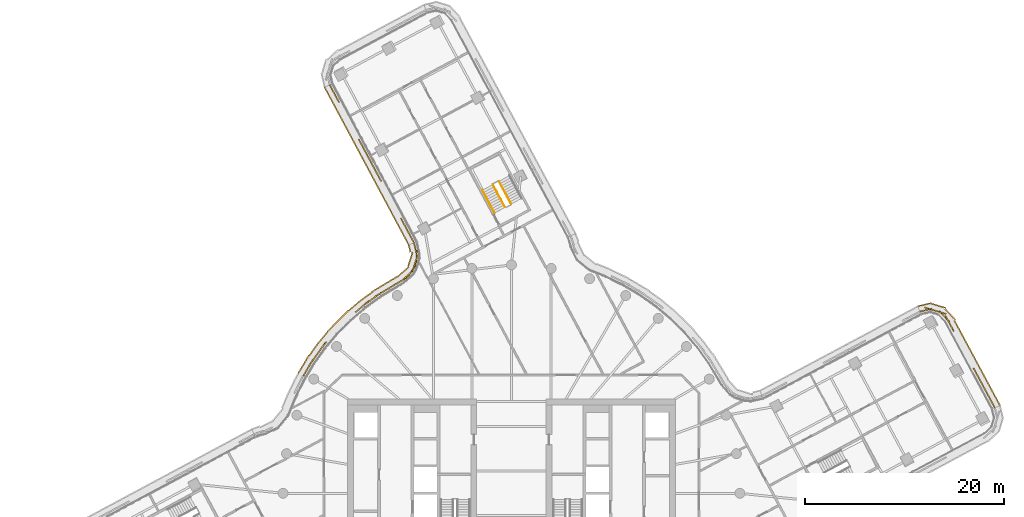
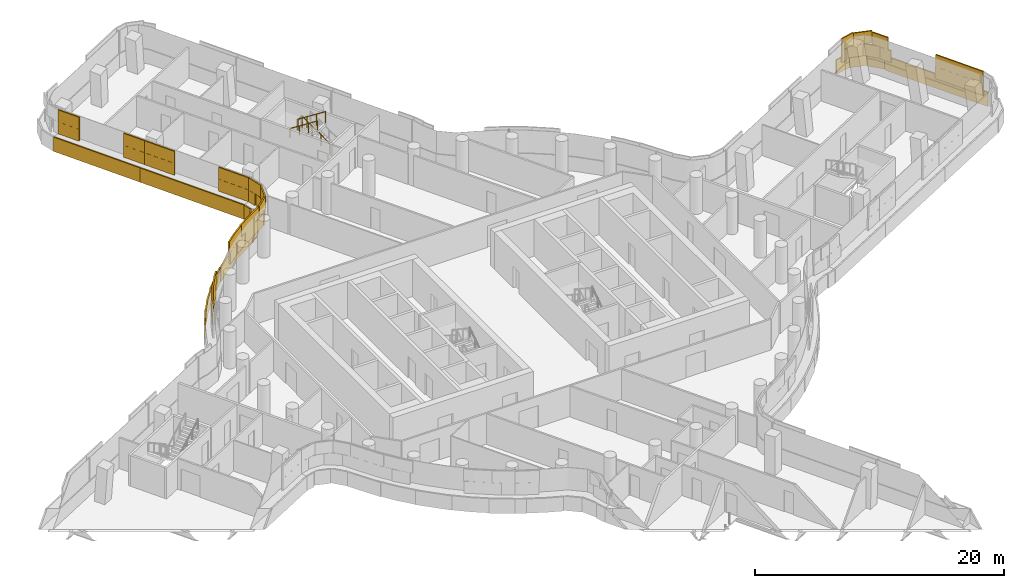
# One storey, part 31 of 33: 4 coverings, 3 railings.
"""IFC4 building model written with IfcOpenShell, lengths in metres."""

from ifc_helpers import new_model, si_unit, direction, frame, origin, origin_2d, place, context, subcontext, project, spatial, rectangle, circle, extrude, material, layer, layer_set, type_object, element, save


model = new_model("IFC4")

# Units and contexts
model_context = context("Model", 3, precision=1e-05, world=origin(), true_north=direction((0.0, 1.0)))
body_context = subcontext(model_context, "Body", "Model", "MODEL_VIEW")
ifc_project = project(units=[si_unit("LENGTHUNIT", "METRE"), si_unit("AREAUNIT", "SQUARE_METRE"), si_unit("VOLUMEUNIT", "CUBIC_METRE"), si_unit("PLANEANGLEUNIT", "RADIAN"), si_unit("MASSUNIT", "GRAM", prefix="KILO")], contexts=[model_context])

# Site, building, storey
site_placement = place(None, origin())
site = spatial("IfcSite", under=ifc_project, at=site_placement, CompositionType="ELEMENT")
building_placement = place(site_placement, origin())
building = spatial("IfcBuilding", under=site, at=building_placement, Name="Tamarind Cross Interchange Tower", CompositionType="ELEMENT")
storey_placement = place(building_placement, frame((0.0, 0.0, 136.75)))
storey = spatial("IfcBuildingStorey", under=building, at=storey_placement, Name="L33", CompositionType="ELEMENT", Elevation=136.75)

# Railings
ifc_material_1 = material(Name="Stair guard")
railing_type_1 = type_object("IfcRailingType", Name="Stair guard", PredefinedType="GUARDRAIL", material=ifc_material_1)
railing_1_placement = place(storey_placement, frame((-0.02587890625, 29.13525390625, 0.17041015625)))
element("IfcRailing", 1, at=railing_1_placement, inside=storey, type_object=railing_type_1, Name="L33 ST4 stair guard 1", PredefinedType="GUARDRAIL", context=body_context, shape_type="SweptSolid", body=[
    extrude(circle(Radius=0.02392578125, at=origin_2d()), frame((0.0, 0.0, 1.076171875), z_axis=(-0.395303833434, 0.73697387302, 0.548274009742), x_axis=(-0.88123277385, -0.47268255552, 0.0)), (0.0, 0.0, 1.0), 3.109130859375),
    extrude(circle(Radius=0.02099609375, at=origin_2d()), origin(), (0.0, 0.0, 1.0), 1.052001953125),
    extrude(circle(Radius=0.02099609375, at=origin_2d()), frame((-0.40966796875, 0.763671875, 0.568115234375)), (0.0, 0.0, 1.0), 1.052001953125),
    extrude(circle(Radius=0.02099609375, at=origin_2d()), frame((-0.8193359375, 1.527587890625, 1.136474609375)), (0.0, 0.0, 1.0), 1.052001953125),
    extrude(circle(Radius=0.02099609375, at=origin_2d()), frame((-1.22900390625, 2.291259765625, 1.70458984375)), (0.0, 0.0, 1.0), 1.052001953125),
])
railing_2_placement = place(storey_placement, frame((-1.871826171875, 31.095458984375, 2.04541015625)))
element("IfcRailing", 2, at=railing_2_placement, inside=storey, type_object=railing_type_1, Name="L33 ST4 stair guard 3", PredefinedType="GUARDRAIL", context=body_context, shape_type="SweptSolid", body=[
    extrude(circle(Radius=0.02392578125, at=origin_2d()), frame((0.0, 0.0, 1.076171875), z_axis=(0.395326711299, -0.736937993412, 0.548305740622), x_axis=(0.881211791727, 0.472721670882, 0.0)), (0.0, 0.0, 1.0), 3.10888671875),
    extrude(circle(Radius=0.02099609375, at=origin_2d()), origin(), (0.0, 0.0, 1.0), 1.052001953125),
    extrude(circle(Radius=0.02099609375, at=origin_2d()), frame((0.40966796875, -0.763671875, 0.568115234375)), (0.0, 0.0, 1.0), 1.052001953125),
    extrude(circle(Radius=0.02099609375, at=origin_2d()), frame((0.8193359375, -1.52734375, 1.136474609375)), (0.0, 0.0, 1.0), 1.052001953125),
    extrude(circle(Radius=0.02099609375, at=origin_2d()), frame((1.22900390625, -2.291015625, 1.70458984375)), (0.0, 0.0, 1.0), 1.052001953125),
])
ifc_material_2 = material(Name="Stair handrail")
railing_type_2 = type_object("IfcRailingType", Name="Stair handrail", PredefinedType="HANDRAIL", material=ifc_material_2)
railing_3_placement = place(storey_placement, frame((-2.92919921875, 30.5283203125, 2.04541015625)))
element("IfcRailing", 3, at=railing_3_placement, inside=storey, type_object=railing_type_2, Name="L33 ST4 stair handrail 2", PredefinedType="HANDRAIL", context=body_context, shape_type="SweptSolid", body=[
    extrude(circle(Radius=0.02392578125, at=origin_2d()), frame((0.0, 0.0, 0.8759765625), z_axis=(0.395303833434, -0.73697387302, 0.548274009742), x_axis=(0.88123277385, 0.47268255552, 0.0)), (0.0, 0.0, 1.0), 3.109130859375),
    extrude(circle(Radius=0.02099609375, at=origin_2d()), origin(), (0.0, 0.0, 1.0), 0.851806640625),
    extrude(circle(Radius=0.02099609375, at=origin_2d()), frame((0.40966796875, -0.763671875, 0.568115234375)), (0.0, 0.0, 1.0), 0.851806640625),
    extrude(circle(Radius=0.02099609375, at=origin_2d()), frame((0.8193359375, -1.527587890625, 1.136474609375)), (0.0, 0.0, 1.0), 0.851806640625),
    extrude(circle(Radius=0.02099609375, at=origin_2d()), frame((1.22900390625, -2.291259765625, 1.70458984375)), (0.0, 0.0, 1.0), 0.851806640625),
])

# Coverings
ifc_material_3 = material(Name="Terracotta", Category="masonry")
ifc_layer = layer(ifc_material_3, 0.1201171875)
ifc_layer_set = layer_set([ifc_layer], Name="Terracotta")
covering_type = type_object("IfcCoveringType", Name="Terracotta baguette screen unit", PredefinedType="MOLDING", material=ifc_layer_set)
covering_1_placement = place(storey_placement, origin())
element("IfcCovering", 4, at=covering_1_placement, inside=storey, type_object=covering_type, Name="SCR-L33-01-00", PredefinedType="MOLDING", context=body_context, shape_type="SweptSolid", body=[
    extrude(rectangle(XDim=0.760009765625, YDim=0.1201171875, at=origin_2d()), frame((-18.125, 40.7890625, 1.404052734375), z_axis=(0.0, 0.0, 1.0), x_axis=(0.47095879505, -0.88215520934, 0.0)), (0.0, 0.0, 1.0), 1.1669921875),
    extrude(rectangle(XDim=1.25390625, YDim=0.1201171875, at=origin_2d()), frame((-17.655517578125, 39.909423828125, 1.404052734375), z_axis=(0.0, 0.0, 1.0), x_axis=(0.47095879505, -0.88215520934, 0.0)), (0.0, 0.0, 1.0), 1.1669921875),
    extrude(rectangle(XDim=0.566162109375, YDim=0.1201171875, at=origin_2d()), frame((-15.253662109375, 35.410400390625, 1.404052734375), z_axis=(0.0, 0.0, 1.0), x_axis=(0.47095879505, -0.88215520934, 0.0)), (0.0, 0.0, 1.0), 1.1669921875),
    extrude(rectangle(XDim=1.44775390625, YDim=0.1201171875, at=origin_2d()), frame((-14.7841796875, 34.531005859375, 1.404052734375), z_axis=(0.0, 0.0, 1.0), x_axis=(0.47095879505, -0.88215520934, 0.0)), (0.0, 0.0, 1.0), 1.1669921875),
    extrude(rectangle(XDim=1.510009765625, YDim=0.1201171875, at=origin_2d()), frame((-17.948486328125, 40.458251953125, 2.5791015625), z_axis=(0.0, 0.0, 1.0), x_axis=(0.47095879505, -0.88215520934, 0.0)), (0.0, 0.0, 1.0), 1.1669921875),
    extrude(rectangle(XDim=0.50390625, YDim=0.1201171875, at=origin_2d()), frame((-17.47900390625, 39.57861328125, 2.5791015625), z_axis=(0.0, 0.0, 1.0), x_axis=(0.47095879505, -0.88215520934, 0.0)), (0.0, 0.0, 1.0), 1.1669921875),
    extrude(rectangle(XDim=1.316162109375, YDim=0.1201171875, at=origin_2d()), frame((-15.076904296875, 35.07958984375, 2.5791015625), z_axis=(0.0, 0.0, 1.0), x_axis=(0.47095879505, -0.88215520934, 0.0)), (0.0, 0.0, 1.0), 1.1669921875),
    extrude(rectangle(XDim=0.69775390625, YDim=0.1201171875, at=origin_2d()), frame((-14.607421875, 34.2001953125, 2.5791015625), z_axis=(0.0, 0.0, 1.0), x_axis=(0.47095879505, -0.88215520934, 0.0)), (0.0, 0.0, 1.0), 1.1669921875),
    extrude(rectangle(XDim=0.760009765625, YDim=0.1201171875, at=origin_2d()), frame((-18.664306640625, 40.580322265625, 0.00390625), z_axis=(0.0, 0.0, 1.0), x_axis=(0.47095879505, -0.88215520934, 0.0)), (0.0, 0.0, 1.0), 1.39208984375),
    extrude(rectangle(XDim=1.52001953125, YDim=0.1201171875, at=origin_2d()), frame((-18.136962890625, 39.59228515625, 0.00390625), z_axis=(0.0, 0.0, 1.0), x_axis=(0.47095879505, -0.88215520934, 0.0)), (0.0, 0.0, 1.0), 1.39208984375),
    extrude(rectangle(XDim=1.52001953125, YDim=0.1201171875, at=origin_2d()), frame((-17.430419921875, 38.26904296875, 0.00390625), z_axis=(0.0, 0.0, 1.0), x_axis=(0.47095879505, -0.88215520934, 0.0)), (0.0, 0.0, 1.0), 1.39208984375),
    extrude(rectangle(XDim=1.52001953125, YDim=0.1201171875, at=origin_2d()), frame((-16.72412109375, 36.94580078125, 0.00390625), z_axis=(0.0, 0.0, 1.0), x_axis=(0.47095879505, -0.88215520934, 0.0)), (0.0, 0.0, 1.0), 1.39208984375),
    extrude(rectangle(XDim=1.52001953125, YDim=0.1201171875, at=origin_2d()), frame((-16.017578125, 35.62255859375, 0.00390625), z_axis=(0.0, 0.0, 1.0), x_axis=(0.47095879505, -0.88215520934, 0.0)), (0.0, 0.0, 1.0), 1.39208984375),
    extrude(rectangle(XDim=1.447021484375, YDim=0.1201171875, at=origin_2d()), frame((-15.328369140625, 34.33154296875, 0.00390625), z_axis=(0.0, 0.0, 1.0), x_axis=(0.47095879505, -0.88215520934, 0.0)), (0.0, 0.0, 1.0), 1.39208984375),
])
covering_2_placement = place(storey_placement, origin())
element("IfcCovering", 5, at=covering_2_placement, inside=storey, type_object=covering_type, Name="SCR-L33-01-01", PredefinedType="MOLDING", context=body_context, shape_type="SweptSolid", body=[
    extrude(rectangle(XDim=0.072021484375, YDim=0.1201171875, at=origin_2d()), frame((-14.430908203125, 33.869384765625, 1.404052734375), z_axis=(0.0, 0.0, 1.0), x_axis=(0.47095879505, -0.88215520934, 0.0)), (0.0, 0.0, 1.0), 1.1669921875),
    extrude(rectangle(XDim=1.52001953125, YDim=0.1201171875, at=origin_2d()), frame((-14.06298828125, 33.180419921875, 1.404052734375), z_axis=(0.0, 0.0, 1.0), x_axis=(0.47095879505, -0.88215520934, 0.0)), (0.0, 0.0, 1.0), 1.1669921875),
    extrude(rectangle(XDim=1.26416015625, YDim=0.1201171875, at=origin_2d()), frame((-13.41455078125, 31.965576171875, 1.404052734375), z_axis=(0.0, 0.0, 1.0), x_axis=(0.47095879505, -0.88215520934, 0.0)), (0.0, 0.0, 1.0), 1.1669921875),
    extrude(rectangle(XDim=0.5556640625, YDim=0.1201171875, at=origin_2d()), frame((-11.012451171875, 27.466552734375, 1.404052734375), z_axis=(0.0, 0.0, 1.0), x_axis=(0.47095879505, -0.88215520934, 0.0)), (0.0, 0.0, 1.0), 1.1669921875),
    extrude(rectangle(XDim=1.52001953125, YDim=0.1201171875, at=origin_2d()), frame((-10.53076171875, 26.564208984375, 1.404052734375), z_axis=(0.0, 0.0, 1.0), x_axis=(0.47095879505, -0.88215520934, 0.0)), (0.0, 0.0, 1.0), 1.1669921875),
    extrude(rectangle(XDim=0.780517578125, YDim=0.1201171875, at=origin_2d()), frame((-9.99609375, 25.562744140625, 1.404052734375), z_axis=(0.0, 0.0, 1.0), x_axis=(0.47095879505, -0.88215520934, 0.0)), (0.0, 0.0, 1.0), 1.1669921875),
    extrude(rectangle(XDim=0.822021484375, YDim=0.1201171875, at=origin_2d()), frame((-14.254150390625, 33.53857421875, 2.5791015625), z_axis=(0.0, 0.0, 1.0), x_axis=(0.47095879505, -0.88215520934, 0.0)), (0.0, 0.0, 1.0), 1.1669921875),
    extrude(rectangle(XDim=1.52001953125, YDim=0.1201171875, at=origin_2d()), frame((-13.709716796875, 32.518798828125, 2.5791015625), z_axis=(0.0, 0.0, 1.0), x_axis=(0.47095879505, -0.88215520934, 0.0)), (0.0, 0.0, 1.0), 1.1669921875),
    extrude(rectangle(XDim=0.51416015625, YDim=0.1201171875, at=origin_2d()), frame((-13.23779296875, 31.634765625, 2.5791015625), z_axis=(0.0, 0.0, 1.0), x_axis=(0.47095879505, -0.88215520934, 0.0)), (0.0, 0.0, 1.0), 1.1669921875),
    extrude(rectangle(XDim=1.3056640625, YDim=0.1201171875, at=origin_2d()), frame((-10.8359375, 27.1357421875, 2.5791015625), z_axis=(0.0, 0.0, 1.0), x_axis=(0.47095879505, -0.88215520934, 0.0)), (0.0, 0.0, 1.0), 1.1669921875),
    extrude(rectangle(XDim=1.52001953125, YDim=0.1201171875, at=origin_2d()), frame((-10.177734375, 25.902587890625, 2.5791015625), z_axis=(0.0, 0.0, 1.0), x_axis=(0.47095879505, -0.88215520934, 0.0)), (0.0, 0.0, 1.0), 1.1669921875),
    extrude(rectangle(XDim=0.030517578125, YDim=0.1201171875, at=origin_2d()), frame((-9.819580078125, 25.23193359375, 2.5791015625), z_axis=(0.0, 0.0, 1.0), x_axis=(0.47095879505, -0.88215520934, 0.0)), (0.0, 0.0, 1.0), 1.1669921875),
    extrude(rectangle(XDim=0.072998046875, YDim=0.1201171875, at=origin_2d()), frame((-14.970458984375, 33.6611328125, 0.00390625), z_axis=(0.0, 0.0, 1.0), x_axis=(0.47095879505, -0.88215520934, 0.0)), (0.0, 0.0, 1.0), 1.39208984375),
    extrude(rectangle(XDim=1.52001953125, YDim=0.1201171875, at=origin_2d()), frame((-14.604736328125, 32.97607421875, 0.00390625), z_axis=(0.0, 0.0, 1.0), x_axis=(0.47095879505, -0.88215520934, 0.0)), (0.0, 0.0, 1.0), 1.39208984375),
    extrude(rectangle(XDim=1.52001953125, YDim=0.1201171875, at=origin_2d()), frame((-13.898193359375, 31.653076171875, 0.00390625), z_axis=(0.0, 0.0, 1.0), x_axis=(0.47095879505, -0.88215520934, 0.0)), (0.0, 0.0, 1.0), 1.39208984375),
    extrude(rectangle(XDim=1.52001953125, YDim=0.1201171875, at=origin_2d()), frame((-13.19189453125, 30.329833984375, 0.00390625), z_axis=(0.0, 0.0, 1.0), x_axis=(0.47095879505, -0.88215520934, 0.0)), (0.0, 0.0, 1.0), 1.39208984375),
    extrude(rectangle(XDim=1.52001953125, YDim=0.1201171875, at=origin_2d()), frame((-12.4853515625, 29.006591796875, 0.00390625), z_axis=(0.0, 0.0, 1.0), x_axis=(0.47095879505, -0.88215520934, 0.0)), (0.0, 0.0, 1.0), 1.39208984375),
    extrude(rectangle(XDim=1.52001953125, YDim=0.1201171875, at=origin_2d()), frame((-11.779052734375, 27.683349609375, 0.00390625), z_axis=(0.0, 0.0, 1.0), x_axis=(0.47095879505, -0.88215520934, 0.0)), (0.0, 0.0, 1.0), 1.39208984375),
    extrude(rectangle(XDim=1.52001953125, YDim=0.1201171875, at=origin_2d()), frame((-11.072509765625, 26.360107421875, 0.00390625), z_axis=(0.0, 0.0, 1.0), x_axis=(0.47095879505, -0.88215520934, 0.0)), (0.0, 0.0, 1.0), 1.39208984375),
    extrude(rectangle(XDim=0.77880859375, YDim=0.1201171875, at=origin_2d()), frame((-10.54052734375, 25.36376953125, 0.00390625), z_axis=(0.0, 0.0, 1.0), x_axis=(0.47095879505, -0.88215520934, 0.0)), (0.0, 0.0, 1.0), 1.39208984375),
])
covering_3_placement = place(storey_placement, origin())
element("IfcCovering", 6, at=covering_3_placement, inside=storey, type_object=covering_type, Name="SCR-L33-02-00", PredefinedType="MOLDING", context=body_context, shape_type="SweptSolid", body=[
    extrude(rectangle(XDim=0.760009765625, YDim=0.1201171875, at=origin_2d()), frame((-9.731201171875, 24.857177734375, 1.404052734375), z_axis=(0.0, 0.0, 1.0), x_axis=(0.222401182673, -0.974955236893, 0.0)), (0.0, 0.0, 1.0), 1.1669921875),
    extrude(rectangle(XDim=1.52001953125, YDim=0.1201171875, at=origin_2d()), frame((-9.5712890625, 23.752197265625, 1.404052734375), z_axis=(0.0, 0.0, 1.0), x_axis=(-0.04378310804, -0.999041059942, 0.0)), (0.0, 0.0, 1.0), 1.1669921875),
    extrude(rectangle(XDim=1.52001953125, YDim=0.1201171875, at=origin_2d()), frame((-10.06689453125, 22.353759765625, 1.404052734375), z_axis=(0.0, 0.0, 1.0), x_axis=(-0.547977610747, -0.836492999444, 0.0)), (0.0, 0.0, 1.0), 1.1669921875),
    extrude(rectangle(XDim=1.52001953125, YDim=0.1201171875, at=origin_2d()), frame((-11.173583984375, 21.355224609375, 1.404052734375), z_axis=(0.0, 0.0, 1.0), x_axis=(-0.864255871509, -0.503052470984, 0.0)), (0.0, 0.0, 1.0), 1.1669921875),
    extrude(rectangle(XDim=1.52001953125, YDim=0.1201171875, at=origin_2d()), frame((-12.462158203125, 20.58740234375, 1.404052734375), z_axis=(0.0, 0.0, 1.0), x_axis=(-0.856843065292, -0.515577308909, 0.0)), (0.0, 0.0, 1.0), 1.1669921875),
    extrude(rectangle(XDim=1.52001953125, YDim=0.1201171875, at=origin_2d()), frame((-13.7216796875, 19.77490234375, 1.404052734375), z_axis=(0.0, 0.0, 1.0), x_axis=(-0.811340475102, -0.584573890505, 0.0)), (0.0, 0.0, 1.0), 1.1669921875),
    extrude(rectangle(XDim=1.52001953125, YDim=0.1201171875, at=origin_2d()), frame((-14.934814453125, 18.892822265625, 1.404052734375), z_axis=(0.0, 0.0, 1.0), x_axis=(-0.760295606781, -0.64957723968, 0.0)), (0.0, 0.0, 1.0), 1.1669921875),
    extrude(rectangle(XDim=1.52001953125, YDim=0.1201171875, at=origin_2d()), frame((-19.1318359375, 14.625732421875, 1.404052734375), z_axis=(0.0, 0.0, 1.0), x_axis=(-0.577568978284, -0.816341886298, 0.0)), (0.0, 0.0, 1.0), 1.1669921875),
    extrude(rectangle(XDim=1.52001953125, YDim=0.1201171875, at=origin_2d()), frame((-19.998046875, 13.4013671875, 1.404052734375), z_axis=(0.0, 0.0, 1.0), x_axis=(-0.577568978284, -0.816341886298, 0.0)), (0.0, 0.0, 1.0), 1.1669921875),
    extrude(rectangle(XDim=1.109375, YDim=0.1201171875, at=origin_2d()), frame((-20.685302734375, 12.29931640625, 1.404052734375), z_axis=(0.0, 0.0, 1.0), x_axis=(-0.508183308752, -0.861248933065, 0.0)), (0.0, 0.0, 1.0), 1.1669921875),
    extrude(rectangle(XDim=1.510009765625, YDim=0.1201171875, at=origin_2d()), frame((-9.64794921875, 24.49169921875, 2.5791015625), z_axis=(0.0, 0.0, 1.0), x_axis=(0.222401182673, -0.974955236893, 0.0)), (0.0, 0.0, 1.0), 1.1669921875),
    extrude(rectangle(XDim=1.52001953125, YDim=0.1201171875, at=origin_2d()), frame((-9.76025390625, 23.031005859375, 2.5791015625), z_axis=(0.0, 0.0, 1.0), x_axis=(-0.306839787304, -0.951761180616, 0.0)), (0.0, 0.0, 1.0), 1.1669921875),
    extrude(rectangle(XDim=1.52001953125, YDim=0.1201171875, at=origin_2d()), frame((-10.59326171875, 21.826416015625, 2.5791015625), z_axis=(0.0, 0.0, 1.0), x_axis=(-0.74997109005, -0.661470607124, 0.0)), (0.0, 0.0, 1.0), 1.1669921875),
    extrude(rectangle(XDim=1.52001953125, YDim=0.1201171875, at=origin_2d()), frame((-11.819580078125, 20.97412109375, 2.5791015625), z_axis=(0.0, 0.0, 1.0), x_axis=(-0.856843065292, -0.515577308909, 0.0)), (0.0, 0.0, 1.0), 1.1669921875),
    extrude(rectangle(XDim=1.52001953125, YDim=0.1201171875, at=origin_2d()), frame((-13.10498046875, 20.20068359375, 2.5791015625), z_axis=(0.0, 0.0, 1.0), x_axis=(-0.856843065292, -0.515577308909, 0.0)), (0.0, 0.0, 1.0), 1.1669921875),
    extrude(rectangle(XDim=1.52001953125, YDim=0.1201171875, at=origin_2d()), frame((-14.330078125, 19.33642578125, 2.5791015625), z_axis=(0.0, 0.0, 1.0), x_axis=(-0.811340475102, -0.584573890505, 0.0)), (0.0, 0.0, 1.0), 1.1669921875),
    extrude(rectangle(XDim=1.00927734375, YDim=0.1201171875, at=origin_2d()), frame((-15.314697265625, 18.568359375, 2.5791015625), z_axis=(0.0, 0.0, 1.0), x_axis=(-0.760295606781, -0.64957723968, 0.0)), (0.0, 0.0, 1.0), 1.1669921875),
    extrude(rectangle(XDim=0.810546875, YDim=0.1201171875, at=origin_2d()), frame((-18.88134765625, 14.937744140625, 2.5791015625), z_axis=(0.0, 0.0, 1.0), x_axis=(-0.643009266048, -0.765858396687, 0.0)), (0.0, 0.0, 1.0), 1.1669921875),
    extrude(rectangle(XDim=1.52001953125, YDim=0.1201171875, at=origin_2d()), frame((-19.56494140625, 14.013427734375, 2.5791015625), z_axis=(0.0, 0.0, 1.0), x_axis=(-0.577568978284, -0.816341886298, 0.0)), (0.0, 0.0, 1.0), 1.1669921875),
    extrude(rectangle(XDim=1.52001953125, YDim=0.1201171875, at=origin_2d()), frame((-20.406005859375, 12.772705078125, 2.5791015625), z_axis=(0.0, 0.0, 1.0), x_axis=(-0.508183308752, -0.861248933065, 0.0)), (0.0, 0.0, 1.0), 1.1669921875),
    extrude(rectangle(XDim=0.359375, YDim=0.1201171875, at=origin_2d()), frame((-20.8759765625, 11.976318359375, 2.5791015625), z_axis=(0.0, 0.0, 1.0), x_axis=(-0.508183308752, -0.861248933065, 0.0)), (0.0, 0.0, 1.0), 1.1669921875),
    extrude(rectangle(XDim=0.760009765625, YDim=0.1201171875, at=origin_2d()), frame((-10.272705078125, 24.64990234375, 0.00390625), z_axis=(0.0, 0.0, 1.0), x_axis=(0.222401182673, -0.974955236893, 0.0)), (0.0, 0.0, 1.0), 1.39208984375),
    extrude(rectangle(XDim=1.52001953125, YDim=0.1201171875, at=origin_2d()), frame((-10.19482421875, 23.55322265625, 0.00390625), z_axis=(0.0, 0.0, 1.0), x_axis=(-0.306839787304, -0.951761180616, 0.0)), (0.0, 0.0, 1.0), 1.39208984375),
    extrude(rectangle(XDim=1.52001953125, YDim=0.1201171875, at=origin_2d()), frame((-10.932373046875, 22.292724609375, 0.00390625), z_axis=(0.0, 0.0, 1.0), x_axis=(-0.74997109005, -0.661470607124, 0.0)), (0.0, 0.0, 1.0), 1.39208984375),
    extrude(rectangle(XDim=1.52001953125, YDim=0.1201171875, at=origin_2d()), frame((-12.15869140625, 21.43994140625, 0.00390625), z_axis=(0.0, 0.0, 1.0), x_axis=(-0.856843065292, -0.515577308909, 0.0)), (0.0, 0.0, 1.0), 1.39208984375),
    extrude(rectangle(XDim=1.52001953125, YDim=0.1201171875, at=origin_2d()), frame((-13.44384765625, 20.66650390625, 0.00390625), z_axis=(0.0, 0.0, 1.0), x_axis=(-0.856843065292, -0.515577308909, 0.0)), (0.0, 0.0, 1.0), 1.39208984375),
    extrude(rectangle(XDim=1.52001953125, YDim=0.1201171875, at=origin_2d()), frame((-14.66796875, 19.800537109375, 0.00390625), z_axis=(0.0, 0.0, 1.0), x_axis=(-0.811340475102, -0.584573890505, 0.0)), (0.0, 0.0, 1.0), 1.39208984375),
    extrude(rectangle(XDim=1.52001953125, YDim=0.1201171875, at=origin_2d()), frame((-15.84375, 18.87109375, 0.00390625), z_axis=(0.0, 0.0, 1.0), x_axis=(-0.760295606781, -0.64957723968, 0.0)), (0.0, 0.0, 1.0), 1.39208984375),
    extrude(rectangle(XDim=1.52001953125, YDim=0.1201171875, at=origin_2d()), frame((-16.96923828125, 17.880615234375, 0.00390625), z_axis=(0.0, 0.0, 1.0), x_axis=(-0.704057148523, -0.710143317658, 0.0)), (0.0, 0.0, 1.0), 1.39208984375),
    extrude(rectangle(XDim=1.52001953125, YDim=0.1201171875, at=origin_2d()), frame((-18.025390625, 16.815185546875, 0.00390625), z_axis=(0.0, 0.0, 1.0), x_axis=(-0.704057148523, -0.710143317658, 0.0)), (0.0, 0.0, 1.0), 1.39208984375),
    extrude(rectangle(XDim=1.52001953125, YDim=0.1201171875, at=origin_2d()), frame((-19.00634765625, 15.681640625, 0.00390625), z_axis=(0.0, 0.0, 1.0), x_axis=(-0.643009266048, -0.765858396687, 0.0)), (0.0, 0.0, 1.0), 1.39208984375),
    extrude(rectangle(XDim=1.52001953125, YDim=0.1201171875, at=origin_2d()), frame((-19.925537109375, 14.497802734375, 0.00390625), z_axis=(0.0, 0.0, 1.0), x_axis=(-0.577568978284, -0.816341886298, 0.0)), (0.0, 0.0, 1.0), 1.39208984375),
    extrude(rectangle(XDim=1.52001953125, YDim=0.1201171875, at=origin_2d()), frame((-20.781005859375, 13.266357421875, 0.00390625), z_axis=(0.0, 0.0, 1.0), x_axis=(-0.508183308752, -0.861248933065, 0.0)), (0.0, 0.0, 1.0), 1.39208984375),
    extrude(rectangle(XDim=0.605224609375, YDim=0.1201171875, at=origin_2d()), frame((-21.31103515625, 12.368408203125, 0.00390625), z_axis=(0.0, 0.0, 1.0), x_axis=(-0.508183308752, -0.861248933065, 0.0)), (0.0, 0.0, 1.0), 1.39208984375),
])
covering_4_placement = place(storey_placement, origin())
element("IfcCovering", 7, at=covering_4_placement, inside=storey, type_object=covering_type, Name="SCR-L33-12-00", PredefinedType="MOLDING", context=body_context, shape_type="SweptSolid", body=[
    extrude(rectangle(XDim=0.760009765625, YDim=0.1201171875, at=origin_2d()), frame((48.494140625, 8.949951171875, 1.404052734375), z_axis=(0.0, 0.0, 1.0), x_axis=(-0.472698422046, 0.881224263054, 0.0)), (0.0, 0.0, 1.0), 1.1669921875),
    extrude(rectangle(XDim=1.52001953125, YDim=0.1201171875, at=origin_2d()), frame((47.96240234375, 9.94140625, 1.404052734375), z_axis=(0.0, 0.0, 1.0), x_axis=(-0.472698422046, 0.881224263054, 0.0)), (0.0, 0.0, 1.0), 1.1669921875),
    extrude(rectangle(XDim=1.52001953125, YDim=0.1201171875, at=origin_2d()), frame((47.25341796875, 11.26318359375, 1.404052734375), z_axis=(0.0, 0.0, 1.0), x_axis=(-0.472698422046, 0.881224263054, 0.0)), (0.0, 0.0, 1.0), 1.1669921875),
    extrude(rectangle(XDim=0.784912109375, YDim=0.1201171875, at=origin_2d()), frame((46.7158203125, 12.265625, 1.404052734375), z_axis=(0.0, 0.0, 1.0), x_axis=(-0.472698422046, 0.881224263054, 0.0)), (0.0, 0.0, 1.0), 1.1669921875),
    extrude(rectangle(XDim=1.03515625, YDim=0.1201171875, at=origin_2d()), frame((44.304931640625, 16.759765625, 1.404052734375), z_axis=(0.0, 0.0, 1.0), x_axis=(-0.472698422046, 0.881224263054, 0.0)), (0.0, 0.0, 1.0), 1.1669921875),
    extrude(rectangle(XDim=1.52001953125, YDim=0.1201171875, at=origin_2d()), frame((43.607177734375, 17.7998046875, 1.404052734375), z_axis=(0.0, 0.0, 1.0), x_axis=(-0.684669236185, 0.728853920221, 0.0)), (0.0, 0.0, 1.0), 1.1669921875),
    extrude(rectangle(XDim=1.52001953125, YDim=0.1201171875, at=origin_2d()), frame((42.33349609375, 18.494873046875, 1.404052734375), z_axis=(0.0, 0.0, 1.0), x_axis=(-0.957367911837, 0.288871392467, 0.0)), (0.0, 0.0, 1.0), 1.1669921875),
    extrude(rectangle(XDim=0.509521484375, YDim=0.1201171875, at=origin_2d()), frame((41.363037109375, 18.358642578125, 1.404052734375), z_axis=(0.0, 0.0, 1.0), x_axis=(-0.973540628652, -0.228513991615, 0.0)), (0.0, 0.0, 1.0), 1.1669921875),
    extrude(rectangle(XDim=1.510009765625, YDim=0.1201171875, at=origin_2d()), frame((48.31689453125, 9.280517578125, 2.5791015625), z_axis=(0.0, 0.0, 1.0), x_axis=(-0.472698422046, 0.881224263054, 0.0)), (0.0, 0.0, 1.0), 1.1669921875),
    extrude(rectangle(XDim=1.52001953125, YDim=0.1201171875, at=origin_2d()), frame((47.60791015625, 10.602294921875, 2.5791015625), z_axis=(0.0, 0.0, 1.0), x_axis=(-0.472698422046, 0.881224263054, 0.0)), (0.0, 0.0, 1.0), 1.1669921875),
    extrude(rectangle(XDim=1.52001953125, YDim=0.1201171875, at=origin_2d()), frame((46.89892578125, 11.924072265625, 2.5791015625), z_axis=(0.0, 0.0, 1.0), x_axis=(-0.472698422046, 0.881224263054, 0.0)), (0.0, 0.0, 1.0), 1.1669921875),
    extrude(rectangle(XDim=1.52001953125, YDim=0.1201171875, at=origin_2d()), frame((44.062744140625, 17.21142578125, 2.5791015625), z_axis=(0.0, 0.0, 1.0), x_axis=(-0.472698422046, 0.881224263054, 0.0)), (0.0, 0.0, 1.0), 1.1669921875),
    extrude(rectangle(XDim=1.52001953125, YDim=0.1201171875, at=origin_2d()), frame((43.051513671875, 18.2783203125, 2.5791015625), z_axis=(0.0, 0.0, 1.0), x_axis=(-0.957367911837, 0.288871392467, 0.0)), (0.0, 0.0, 1.0), 1.1669921875),
    extrude(rectangle(XDim=1.259521484375, YDim=0.1201171875, at=origin_2d()), frame((41.72802734375, 18.4443359375, 2.5791015625), z_axis=(0.0, 0.0, 1.0), x_axis=(-0.973540628652, -0.228513991615, 0.0)), (0.0, 0.0, 1.0), 1.1669921875),
    extrude(rectangle(XDim=0.760009765625, YDim=0.1201171875, at=origin_2d()), frame((49.033447265625, 9.1591796875, 0.00390625), z_axis=(0.0, 0.0, 1.0), x_axis=(-0.472698422046, 0.881224263054, 0.0)), (0.0, 0.0, 1.0), 1.39208984375),
    extrude(rectangle(XDim=1.52001953125, YDim=0.1201171875, at=origin_2d()), frame((48.50390625, 10.14599609375, 0.00390625), z_axis=(0.0, 0.0, 1.0), x_axis=(-0.472698422046, 0.881224263054, 0.0)), (0.0, 0.0, 1.0), 1.39208984375),
    extrude(rectangle(XDim=1.52001953125, YDim=0.1201171875, at=origin_2d()), frame((47.794921875, 11.468017578125, 0.00390625), z_axis=(0.0, 0.0, 1.0), x_axis=(-0.472698422046, 0.881224263054, 0.0)), (0.0, 0.0, 1.0), 1.39208984375),
    extrude(rectangle(XDim=1.52001953125, YDim=0.1201171875, at=origin_2d()), frame((47.0859375, 12.789794921875, 0.00390625), z_axis=(0.0, 0.0, 1.0), x_axis=(-0.472698422046, 0.881224263054, 0.0)), (0.0, 0.0, 1.0), 1.39208984375),
    extrude(rectangle(XDim=1.52001953125, YDim=0.1201171875, at=origin_2d()), frame((46.376953125, 14.111572265625, 0.00390625), z_axis=(0.0, 0.0, 1.0), x_axis=(-0.472698422046, 0.881224263054, 0.0)), (0.0, 0.0, 1.0), 1.39208984375),
    extrude(rectangle(XDim=1.52001953125, YDim=0.1201171875, at=origin_2d()), frame((45.667724609375, 15.433349609375, 0.00390625), z_axis=(0.0, 0.0, 1.0), x_axis=(-0.472698422046, 0.881224263054, 0.0)), (0.0, 0.0, 1.0), 1.39208984375),
    extrude(rectangle(XDim=1.52001953125, YDim=0.1201171875, at=origin_2d()), frame((44.958740234375, 16.75537109375, 0.00390625), z_axis=(0.0, 0.0, 1.0), x_axis=(-0.472698422046, 0.881224263054, 0.0)), (0.0, 0.0, 1.0), 1.39208984375),
    extrude(rectangle(XDim=1.52001953125, YDim=0.1201171875, at=origin_2d()), frame((44.180908203125, 18.027587890625, 0.00390625), z_axis=(0.0, 0.0, 1.0), x_axis=(-0.684669236185, 0.728853920221, 0.0)), (0.0, 0.0, 1.0), 1.39208984375),
    extrude(rectangle(XDim=1.52001953125, YDim=0.1201171875, at=origin_2d()), frame((43.0107421875, 18.89013671875, 0.00390625), z_axis=(0.0, 0.0, 1.0), x_axis=(-0.957367911837, 0.288871392467, 0.0)), (0.0, 0.0, 1.0), 1.39208984375),
    extrude(rectangle(XDim=1.426513671875, YDim=0.1201171875, at=origin_2d()), frame((41.60986328125, 19.00634765625, 0.00390625), z_axis=(0.0, 0.0, 1.0), x_axis=(-0.973540628652, -0.228513991615, 0.0)), (0.0, 0.0, 1.0), 1.39208984375),
])

save(model, "model.ifc")
